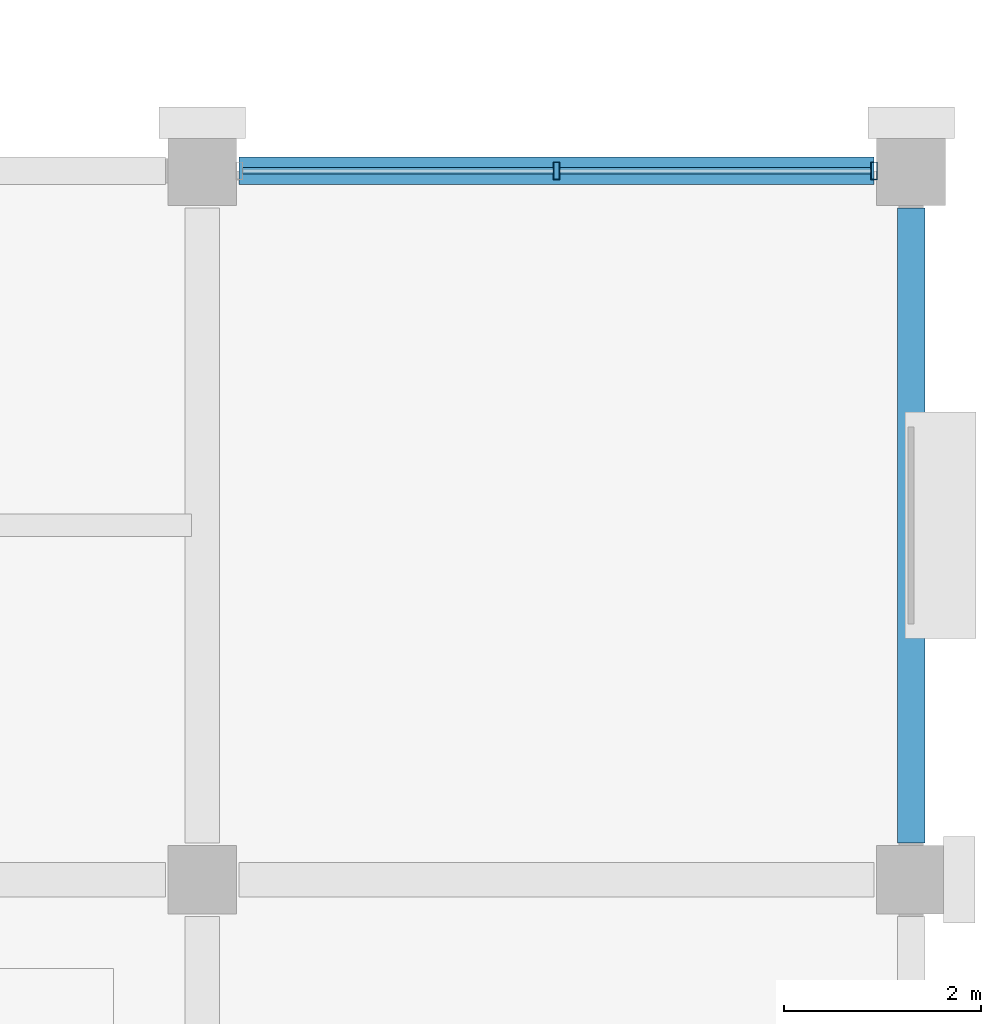
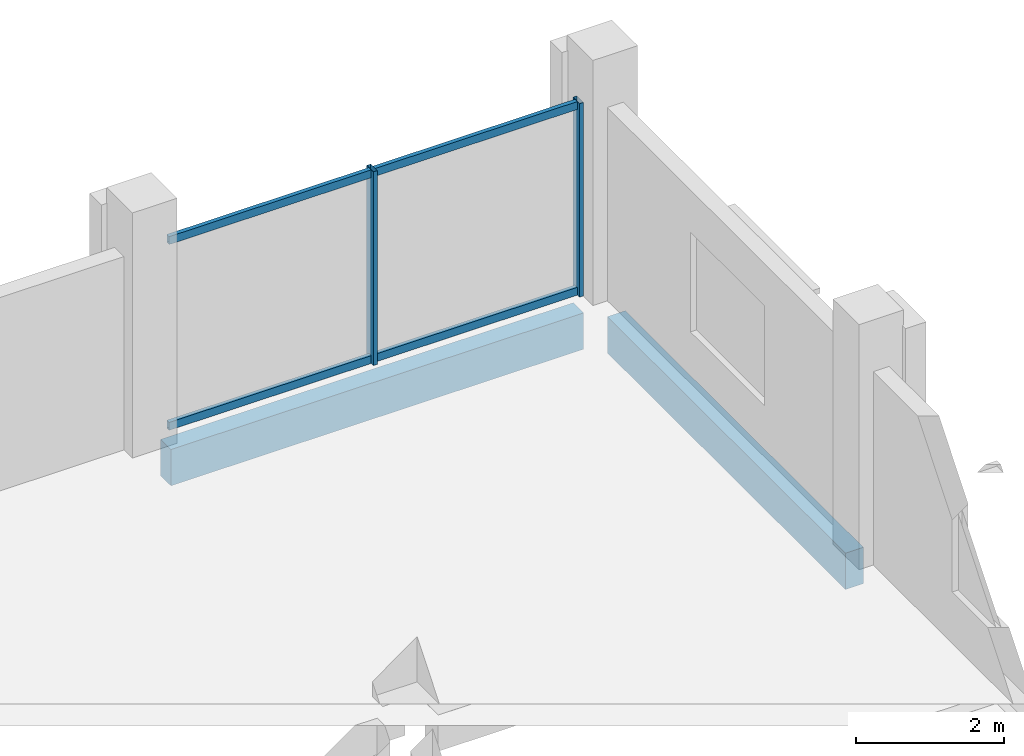
# One storey, part 63 of 108: 6 members, 2 beams, 1 element without a shape of its own.
"""IFC4 building model written with IfcOpenShell, lengths in metres."""

import ifcopenshell
import ifcopenshell.guid

model = None  # the IFC model being written
_history = None  # IfcOwnerHistory: only IFC2X3 demands one
_inside = {}  # id of a spatial element -> (the spatial element, [elements in it])
_under = {}  # id of a project, library or spatial element -> (it, [spatial elements below it])
_declared = {}  # id of a project -> (the project, [libraries it declares])
_typed = {}  # id of a type object -> (the type object, [elements of that type])
_made_of = {}  # id of a material, layer set ... -> (it, [elements and type objects made of it])


def new_model(schema):
    """Start an empty IFC model of exactly this schema.

    Asked for "IFC4X3", IfcOpenShell would pick the latest addendum, in which some entities
    have other attributes; the version numbers below select the first issue.
    IFC2X3 requires an IfcOwnerHistory on every rooted entity: one is made here for all.
    """
    global model, _history
    if schema == "IFC4X3":
        model = ifcopenshell.file(schema_version=(4, 3, 0, 0))
    else:
        model = ifcopenshell.file(schema=schema)
    _inside.clear()
    _under.clear()
    _declared.clear()
    _typed.clear()
    _made_of.clear()
    _history = None
    if model.schema == "IFC2X3":
        org = make("IfcOrganization", Name="unknown")
        user = make(
            "IfcPersonAndOrganization",
            ThePerson=make("IfcPerson", FamilyName="unknown"),
            TheOrganization=org,
        )
        app = make(
            "IfcApplication",
            ApplicationDeveloper=org,
            Version="unknown",
            ApplicationFullName="unknown",
            ApplicationIdentifier="unknown",
        )
        _history = make(
            "IfcOwnerHistory",
            OwningUser=user,
            OwningApplication=app,
            ChangeAction="ADDED",
            CreationDate=0,
        )
    return model


def make(cls, **values):
    """One entity of the class cls with the attributes given. An attribute that is None is left unset."""
    return model.create_entity(
        cls, **{name: value for name, value in values.items() if value is not None}
    )


def rooted(cls, **values):
    """An entity with a GlobalId (a new one), such as an element, a storey or a relation."""
    return make(cls, GlobalId=ifcopenshell.guid.new(), OwnerHistory=_history, **values)


def si_unit(unit_type, name, prefix=None):
    """IfcSIUnit, for example si_unit("LENGTHUNIT", "METRE", prefix="MILLI")."""
    return make("IfcSIUnit", UnitType=unit_type, Prefix=prefix, Name=name)


def assignment(units):
    """IfcUnitAssignment: the units of a project."""
    return None if units is None else make("IfcUnitAssignment", Units=units)


def point(xyz):
    """IfcCartesianPoint."""
    return None if xyz is None else make("IfcCartesianPoint", Coordinates=xyz)


def direction(xyz):
    """IfcDirection."""
    return None if xyz is None else make("IfcDirection", DirectionRatios=xyz)


def frame(location, z_axis=None, x_axis=None):
    """IfcAxis2Placement3D, a coordinate frame: its origin and axes. An axis left out is left unset."""
    return make(
        "IfcAxis2Placement3D",
        Location=point(location),
        Axis=direction(z_axis),
        RefDirection=direction(x_axis),
    )


def frame_2d(location, x_axis=None):
    """IfcAxis2Placement2D, a coordinate frame in the plane: its origin and x axis."""
    return make(
        "IfcAxis2Placement2D", Location=point(location), RefDirection=direction(x_axis)
    )


def origin():
    """The frame at (0, 0, 0) with its axes left unset."""
    return frame((0.0, 0.0, 0.0))


def origin_2d():
    """The frame at (0, 0) in the plane with its x axis left unset."""
    return frame_2d((0.0, 0.0))


def place(relative_to, where):
    """IfcLocalPlacement: puts the frame where relative to a parent placement (None: the world)."""
    return make(
        "IfcLocalPlacement", PlacementRelTo=relative_to, RelativePlacement=where
    )


def context(
    kind, dimensions, precision=None, world=None, true_north=None, identifier=None
):
    """IfcGeometricRepresentationContext, for example the 3D "Model" context."""
    return make(
        "IfcGeometricRepresentationContext",
        ContextIdentifier=identifier,
        ContextType=kind,
        CoordinateSpaceDimension=dimensions,
        Precision=precision,
        WorldCoordinateSystem=world,
        TrueNorth=true_north,
    )


def subcontext(parent, identifier, kind, view, scale=None):
    """IfcGeometricRepresentationSubContext, for example "Body" below "Model"."""
    return make(
        "IfcGeometricRepresentationSubContext",
        ContextIdentifier=identifier,
        ContextType=kind,
        ParentContext=parent,
        TargetScale=scale,
        TargetView=view,
    )


def project(units=None, contexts=None):
    """IfcProject with its units and contexts."""
    return rooted(
        "IfcProject",
        Name="project",
        RepresentationContexts=contexts,
        UnitsInContext=assignment(units),
    )


def spatial(cls, under=None, at=None, **own):
    """A site, building, storey or space (cls), placed at a placement, below another one or the project."""
    s = rooted(cls, ObjectPlacement=at, **own)
    if under is not None:
        _under.setdefault(under.id(), (under, []))[1].append(s)
    return s


def profile(cls, at=None, kind="AREA", **sizes):
    """A parametric profile (cls). Its sizes go by their IFC names, for example OverallWidth=200.0."""
    return make(cls, ProfileType=kind, Position=at, **sizes)


def rectangle(**sizes):
    """IfcRectangleProfileDef."""
    return profile("IfcRectangleProfileDef", **sizes)


def hollow_rectangle(**sizes):
    """IfcRectangleHollowProfileDef."""
    return profile("IfcRectangleHollowProfileDef", **sizes)


def extrude(swept, where, along, depth):
    """IfcExtrudedAreaSolid: the profile swept, set in the frame where, extruded along a direction by depth."""
    return make(
        "IfcExtrudedAreaSolid",
        SweptArea=swept,
        Position=where,
        ExtrudedDirection=direction(along),
        Depth=depth,
    )


def shape(context_of_items, identifier, shape_type, items):
    """IfcShapeRepresentation: the items that make up one representation, for example the "Body"."""
    return make(
        "IfcShapeRepresentation",
        ContextOfItems=context_of_items,
        RepresentationIdentifier=identifier,
        RepresentationType=shape_type,
        Items=items,
    )


def material(Name=None, Category=None):
    """IfcMaterial."""
    return make("IfcMaterial", Name=Name, Category=Category)


def layer(
    of_material, thickness, ventilated=None, Name=None, Category=None, Priority=None
):
    """IfcMaterialLayer: one layer of a wall or slab, of a material (None: an air gap)."""
    return make(
        "IfcMaterialLayer",
        Material=of_material,
        LayerThickness=thickness,
        IsVentilated=ventilated,
        Name=Name,
        Category=Category,
        Priority=Priority,
    )


def layer_set(layers, Name=None):
    """IfcMaterialLayerSet."""
    return make("IfcMaterialLayerSet", MaterialLayers=layers, LayerSetName=Name)


def material_profile(
    of_material, cross_section, Name=None, Category=None, Priority=None
):
    """IfcMaterialProfile: a cross section and its material."""
    return make(
        "IfcMaterialProfile",
        Name=Name,
        Material=of_material,
        Profile=cross_section,
        Priority=Priority,
        Category=Category,
    )


def profile_set(profiles, Name=None, composite=None):
    """IfcMaterialProfileSet."""
    return make(
        "IfcMaterialProfileSet",
        Name=Name,
        MaterialProfiles=profiles,
        CompositeProfile=composite,
    )


def made_of(thing, what):
    """Note that an element or type object is made of a material, layer set ...; save() writes the relation."""
    if what is not None:
        _made_of.setdefault(what.id(), (what, []))[1].append(thing)
    return thing


def type_object(cls, material=None, **own):
    """A type object (cls), such as IfcWallType, which elements share."""
    return made_of(rooted(cls, **own), material)


def element(
    cls,
    number,
    at=None,
    inside=None,
    cuts=None,
    type_object=None,
    material=None,
    context=None,
    identifier="Body",
    shape_type=None,
    held_by="IfcProductDefinitionShape",
    body=None,
    shapes=None,
    **own,
):
    """One element of the class cls, such as IfcWall. Its Tag is "e" and its number.

    at: its placement. inside: the storey or other place that contains it. cuts: it is an
    opening in that element (IfcRelVoidsElement). A single representation is given by context,
    identifier, shape_type and body (its items); several are given by shapes. held_by: the class
    of the entity that holds the representations. save() writes the other relations.
    """
    e = rooted(cls, Tag="e%d" % number, ObjectPlacement=at, **own)
    if body is not None:
        shapes = [shape(context, identifier, shape_type, body)]
    if shapes is not None:
        e.Representation = make(held_by, Representations=shapes)
    if inside is not None:
        _inside.setdefault(inside.id(), (inside, []))[1].append(e)
    if cuts is not None:
        rooted(
            "IfcRelVoidsElement", RelatingBuildingElement=cuts, RelatedOpeningElement=e
        )
    if type_object is not None:
        _typed.setdefault(type_object.id(), (type_object, []))[1].append(e)
    return made_of(e, material)


def aggregate(whole, parts):
    """IfcRelAggregates: a whole, such as a stair, and the parts it consists of."""
    return rooted("IfcRelAggregates", RelatingObject=whole, RelatedObjects=parts)


def save(model, path):
    """Write the relations noted so far, then the file.

    IfcRelAggregates (storeys below a building ...), IfcRelContainedInSpatialStructure (elements
    in a storey), IfcRelDefinesByType, IfcRelAssociatesMaterial and IfcRelDeclares: one each for
    every whole, place, type object, material and project.
    """
    for whole, parts in _under.values():
        aggregate(whole, parts)
    for where, things in _inside.values():
        rooted(
            "IfcRelContainedInSpatialStructure",
            RelatedElements=things,
            RelatingStructure=where,
        )
    for kind, things in _typed.values():
        rooted("IfcRelDefinesByType", RelatedObjects=things, RelatingType=kind)
    for what, things in _made_of.values():
        rooted("IfcRelAssociatesMaterial", RelatedObjects=things, RelatingMaterial=what)
    for by, libraries in _declared.values():
        rooted("IfcRelDeclares", RelatingContext=by, RelatedDefinitions=libraries)
    model.write(path)


model = new_model("IFC4")

# Units and contexts
model_context = context("Model", 3, precision=1e-05, world=origin(), true_north=direction((0.0, 1.0)))
body_context = subcontext(model_context, "Body", "Model", "MODEL_VIEW")
ifc_project = project(units=[si_unit("LENGTHUNIT", "METRE"), si_unit("AREAUNIT", "SQUARE_METRE"), si_unit("VOLUMEUNIT", "CUBIC_METRE"), si_unit("PLANEANGLEUNIT", "RADIAN"), si_unit("MASSUNIT", "GRAM", prefix="KILO")], contexts=[model_context])

# Site, building, storey
site_placement = place(None, origin())
site = spatial("IfcSite", under=ifc_project, at=site_placement, CompositionType="ELEMENT")
building_placement = place(site_placement, origin())
building = spatial("IfcBuilding", under=site, at=building_placement, Name="Kangsadwip Square Police Headquarters", CompositionType="ELEMENT")
storey_placement = place(building_placement, frame((0.0, 0.0, 9.449951171875)))
storey = spatial("IfcBuildingStorey", under=building, at=storey_placement, Name="L02", CompositionType="ELEMENT", Elevation=9.449951171875)

# Curtain wall, members
ifc_material_1 = material(Name="Thermally broken anodised aluminium AW-6063-T6", Category="aluminium")
ifc_layer = layer(ifc_material_1, 0.159912109375)
ifc_layer_set = layer_set([ifc_layer], Name="Thermally broken anodised aluminium AW-6063-T6")
curtain_wall_type = type_object("IfcCurtainWallType", Name="UnitisedCw6510x3200", PredefinedType="NOTDEFINED", material=ifc_layer_set)
curtain_wall_placement = place(storey_placement, origin())
curtain_wall = element("IfcCurtainWall", 1, at=curtain_wall_placement, inside=storey, type_object=curtain_wall_type, Name="Curtain Wall CW-L02-1587-1152", PredefinedType="NOTDEFINED")
ifc_material_2 = material(Name="Thermally broken anodised aluminium AW-6063-T6", Category="aluminium")
ifc_material_profile_1 = material_profile(ifc_material_2, hollow_rectangle(XDim=0.06494140625, YDim=0.179931640625, WallThickness=0.00390625, at=origin_2d()), Name="CWM 180X65X4")
ifc_profile_set_1 = profile_set([ifc_material_profile_1], Name="Thermally broken anodised aluminium AW-6063-T6")
member_type_1 = type_object("IfcMemberType", Name="CwMullion160x65", PredefinedType="MULLION", material=ifc_profile_set_1)
member_1_placement = place(storey_placement, frame((162.0, 115.199951171875, 0.0), z_axis=(0.0, 0.0, 1.0), x_axis=(1.0, 0.0, 0.0)))
member_1 = element("IfcMember", 2, at=member_1_placement, type_object=member_type_1, Name="CW-24 mullion 2", PredefinedType="MULLION", context=body_context, shape_type="SweptSolid", body=[
    extrude(hollow_rectangle(XDim=0.06494140625, YDim=0.179931640625, WallThickness=0.00390625, at=origin_2d()), origin(), (0.0, 0.0, 1.0), 3.199951171875),
])
member_2_placement = place(storey_placement, frame((165.222412109375, 115.199951171875, 0.0), z_axis=(0.0, 0.0, 1.0), x_axis=(1.0, 0.0, 0.0)))
member_2 = element("IfcMember", 3, at=member_2_placement, type_object=member_type_1, Name="CW-24 mullion 3", PredefinedType="MULLION", context=body_context, shape_type="SweptSolid", body=[
    extrude(hollow_rectangle(XDim=0.06494140625, YDim=0.179931640625, WallThickness=0.00390625, at=origin_2d()), origin(), (0.0, 0.0, 1.0), 3.199951171875),
])
ifc_material_3 = material(Name="Thermally broken anodised aluminium AW-6063-T6", Category="aluminium")
ifc_material_profile_2 = material_profile(ifc_material_3, hollow_rectangle(XDim=0.06494140625, YDim=0.1298828125, WallThickness=0.00390625, at=origin_2d()), Name="CWT 130X65X4")
ifc_profile_set_2 = profile_set([ifc_material_profile_2], Name="Thermally broken anodised aluminium AW-6063-T6")
member_type_2 = type_object("IfcMemberType", Name="CwTransom140x60", PredefinedType="USERDEFINED", material=ifc_profile_set_2)
member_3_placement = place(storey_placement, frame((158.81005859375, 115.199951171875, 0.06494140625), z_axis=(1.0, 0.0, 0.0), x_axis=(0.0, 1.0, 0.0)))
member_3 = element("IfcMember", 4, at=member_3_placement, type_object=member_type_2, Name="CW-24 transom 1.1", ObjectType="TRANSOM", PredefinedType="USERDEFINED", context=body_context, shape_type="SweptSolid", body=[
    extrude(hollow_rectangle(XDim=0.06494140625, YDim=0.1298828125, WallThickness=0.00390625, at=origin_2d()), origin(), (0.0, 0.0, 1.0), 3.157470703125),
])
member_4_placement = place(storey_placement, frame((158.81005859375, 115.199951171875, 3.135009765625), z_axis=(1.0, 0.0, 0.0), x_axis=(0.0, 1.0, 0.0)))
member_4 = element("IfcMember", 5, at=member_4_placement, type_object=member_type_2, Name="CW-24 transom 1.2", ObjectType="TRANSOM", PredefinedType="USERDEFINED", context=body_context, shape_type="SweptSolid", body=[
    extrude(hollow_rectangle(XDim=0.06494140625, YDim=0.1298828125, WallThickness=0.00390625, at=origin_2d()), origin(), (0.0, 0.0, 1.0), 3.157470703125),
])
member_5_placement = place(storey_placement, frame((162.032470703125, 115.199951171875, 0.06494140625), z_axis=(1.0, 0.0, 0.0), x_axis=(0.0, 1.0, 0.0)))
member_5 = element("IfcMember", 6, at=member_5_placement, type_object=member_type_2, Name="CW-24 transom 2.1", ObjectType="TRANSOM", PredefinedType="USERDEFINED", context=body_context, shape_type="SweptSolid", body=[
    extrude(hollow_rectangle(XDim=0.06494140625, YDim=0.1298828125, WallThickness=0.00390625, at=origin_2d()), origin(), (0.0, 0.0, 1.0), 3.157470703125),
])
member_6_placement = place(storey_placement, frame((162.032470703125, 115.199951171875, 3.135009765625), z_axis=(1.0, 0.0, 0.0), x_axis=(0.0, 1.0, 0.0)))
member_6 = element("IfcMember", 7, at=member_6_placement, type_object=member_type_2, Name="CW-24 transom 2.2", ObjectType="TRANSOM", PredefinedType="USERDEFINED", context=body_context, shape_type="SweptSolid", body=[
    extrude(hollow_rectangle(XDim=0.06494140625, YDim=0.1298828125, WallThickness=0.00390625, at=origin_2d()), origin(), (0.0, 0.0, 1.0), 3.157470703125),
])
aggregate(curtain_wall, [member_1, member_2, member_3, member_4, member_5, member_6])

# Beams
ifc_material_4 = material(Name="Concrete M40 (40 MPa)", Category="concrete")
ifc_material_profile_3 = material_profile(ifc_material_4, rectangle(XDim=0.280029296875, YDim=0.60009765625, at=origin_2d()), Name="RC SPN 600X280")
ifc_profile_set_3 = profile_set([ifc_material_profile_3], Name="Concrete M40 (40 MPa)")
beam_type = type_object("IfcBeamType", Name="RcSpandrel600x280", PredefinedType="SPANDREL", material=ifc_profile_set_3)
beam_1_placement = place(storey_placement, frame((158.77490234375, 115.199951171875, -0.5400390625), z_axis=(1.0, 0.0, 0.0), x_axis=(0.0, 1.0, 0.0)))
element("IfcBeam", 8, at=beam_1_placement, inside=storey, type_object=beam_type, Name="Beam BM-L02-X-22-16", PredefinedType="SPANDREL", context=body_context, shape_type="SweptSolid", body=[
    extrude(rectangle(XDim=0.280029296875, YDim=0.60009765625, at=origin_2d()), origin(), (0.0, 0.0, 1.0), 6.4501953125),
])
beam_2_placement = place(storey_placement, frame((165.60009765625, 108.375, -0.5400390625), z_axis=(0.0, 1.0, 0.0), x_axis=(-1.0, 0.0, 0.0)))
element("IfcBeam", 9, at=beam_2_placement, inside=storey, type_object=beam_type, Name="Beam BM-L02-Y-23-15", PredefinedType="SPANDREL", context=body_context, shape_type="SweptSolid", body=[
    extrude(rectangle(XDim=0.280029296875, YDim=0.60009765625, at=origin_2d()), origin(), (0.0, 0.0, 1.0), 6.449951171875),
])

save(model, "model.ifc")
